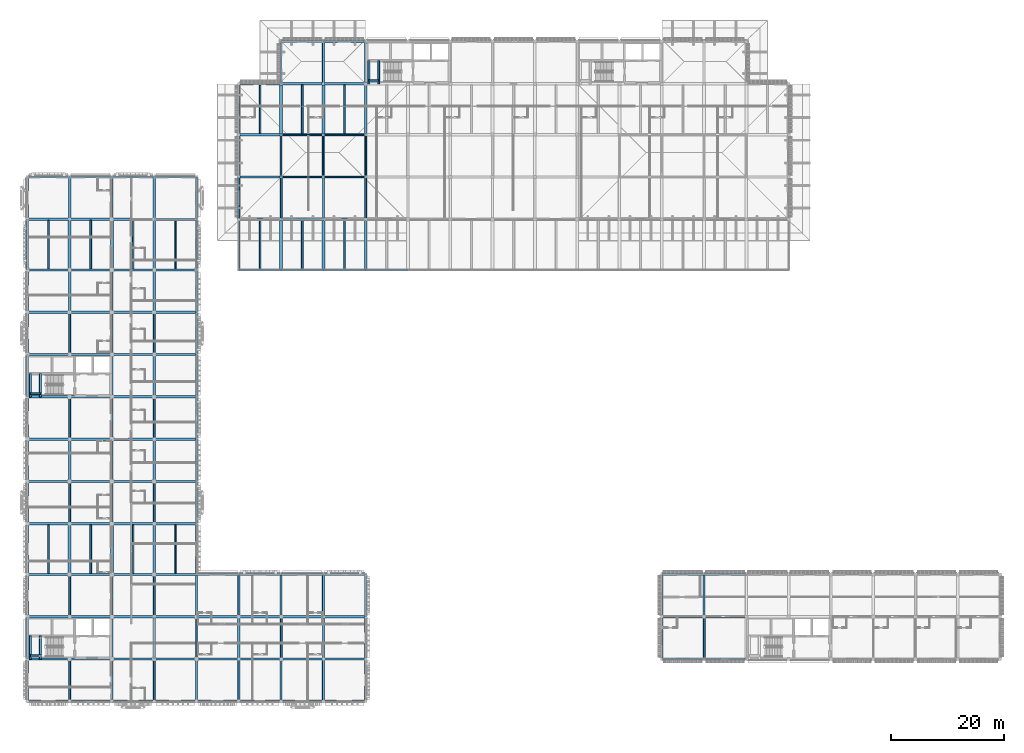
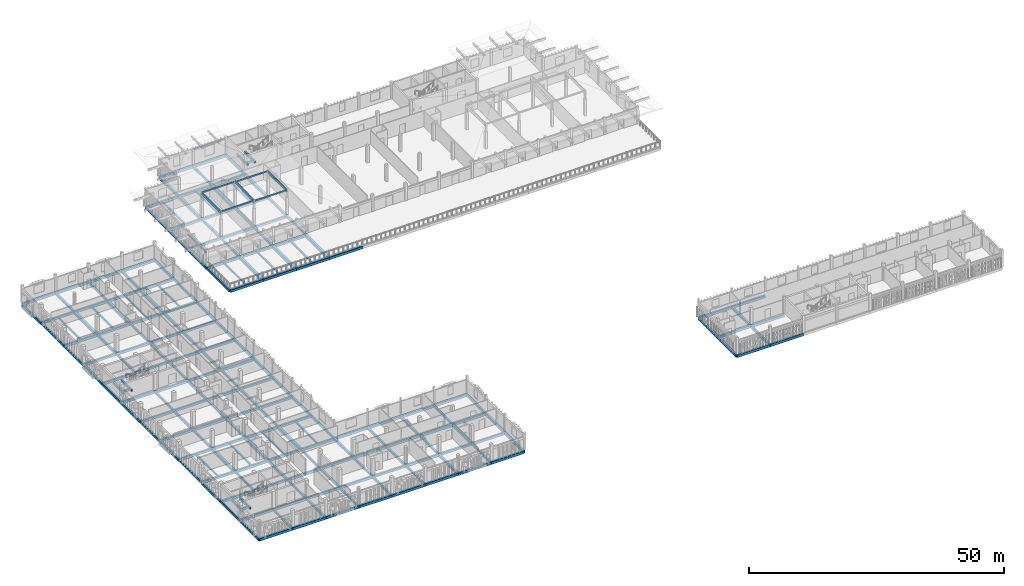
# One storey, part 12 of 48: 213 beams, 4 members.
"""IFC4 building model written with IfcOpenShell, lengths in metres."""

from ifc_helpers import new_model, si_unit, direction, frame, origin, origin_2d, place, context, subcontext, project, spatial, rectangle, hollow_rectangle, extrude, material, material_profile, profile_set, type_object, element, save


model = new_model("IFC4")

# Units and contexts
model_context = context("Model", 3, precision=1e-05, world=origin(), true_north=direction((0.0, 1.0)))
body_context = subcontext(model_context, "Body", "Model", "MODEL_VIEW")
ifc_project = project(units=[si_unit("LENGTHUNIT", "METRE"), si_unit("AREAUNIT", "SQUARE_METRE"), si_unit("VOLUMEUNIT", "CUBIC_METRE"), si_unit("PLANEANGLEUNIT", "RADIAN"), si_unit("MASSUNIT", "GRAM", prefix="KILO")], contexts=[model_context])

# Site, building, storey
site_placement = place(None, origin())
site = spatial("IfcSite", under=ifc_project, at=site_placement, CompositionType="ELEMENT")
building_placement = place(site_placement, origin())
building = spatial("IfcBuilding", under=site, at=building_placement, Name="Dalvernix Boulevard General Hospital", CompositionType="ELEMENT")
storey_placement = place(building_placement, frame((0.0, 0.0, 17.85009765625)))
storey = spatial("IfcBuildingStorey", under=building, at=storey_placement, Name="L04", CompositionType="ELEMENT", Elevation=17.85009765625)

# Beams
ifc_material_1 = material(Name="Concrete C35/45", Category="concrete")
ifc_material_profile_1 = material_profile(ifc_material_1, rectangle(XDim=0.5, YDim=0.699951171875, at=origin_2d()), Name="RCB 500x700")
ifc_profile_set_1 = profile_set([ifc_material_profile_1], Name="Concrete C35/45")
beam_type_1 = type_object("IfcBeamType", Name="BM-B-01-I", PredefinedType="BEAM", material=ifc_profile_set_1)
for number, where, z_axis, x_axis, name in (
    (1, (7.5, 22.5, -0.630126953125), (0.0, 1.0, 0.0), (-1.0, 0.0, 0.0), "L04 N-S girder 2:D-E"),
    (2, (7.5, 76.5, -0.630126953125), (0.0, 1.0, 0.0), (-1.0, 0.0, 0.0), "L04 N-S girder 2:L-M"),
    (3, (15.0, 22.5, -0.630126953125), (0.0, 1.0, 0.0), (-1.0, 0.0, 0.0), "L04 N-S girder 3:D-E"),
    (4, (15.0, 76.5, -0.630126953125), (0.0, 1.0, 0.0), (-1.0, 0.0, 0.0), "L04 N-S girder 3:L-M"),
    (5, (22.5, 22.5, -0.630126953125), (0.0, 1.0, 0.0), (-1.0, 0.0, 0.0), "L04 N-S girder 4:D-E"),
    (6, (22.5, 76.5, -0.630126953125), (0.0, 1.0, 0.0), (-1.0, 0.0, 0.0), "L04 N-S girder 4:L-M"),
    (7, (45.0, 76.5, -0.630126953125), (0.0, 1.0, 0.0), (-1.0, 0.0, 0.0), "L04 N-S girder 7:L-M"),
    (8, (45.0, 100.5, -0.630126953125), (0.0, 1.0, 0.0), (-1.0, 0.0, 0.0), "L04 N-S girder 7:P-Q"),
    (9, (52.5, 76.5, -0.630126953125), (0.0, 1.0, 0.0), (-1.0, 0.0, 0.0), "L04 N-S girder 8:L-M"),
    (10, (52.5, 100.5, -0.630126953125), (0.0, 1.0, 0.0), (-1.0, 0.0, 0.0), "L04 N-S girder 8:P-Q"),
    (11, (60.0, 76.5, -0.630126953125), (0.0, 1.0, 0.0), (-1.0, 0.0, 0.0), "L04 N-S girder 9:L-M"),
    (12, (60.0, 100.5, -0.630126953125), (0.0, 1.0, 0.0), (-1.0, 0.0, 0.0), "L04 N-S girder 9:P-Q"),
):
    element("IfcBeam", number, at=place(storey_placement, frame(where, z_axis=z_axis, x_axis=x_axis)), inside=storey, type_object=beam_type_1, Name=name, PredefinedType="BEAM", context=body_context, shape_type="SweptSolid", body=[
        extrude(rectangle(XDim=0.5, YDim=0.699951171875, at=origin_2d()), origin(), (0.0, 0.0, 1.0), 9.0),
    ])
ifc_material_profile_2 = material_profile(ifc_material_1, rectangle(XDim=0.39990234375, YDim=0.60009765625, at=origin_2d()), Name="RCB 400x600")
ifc_profile_set_2 = profile_set([ifc_material_profile_2], Name="Concrete C35/45")
beam_type_2 = type_object("IfcBeamType", Name="BM-B-05-I", PredefinedType="BEAM", material=ifc_profile_set_2)
for number, where, z_axis, x_axis, name in (
    (13, (7.5, 7.5, -0.580078125), (1.0, 0.0, 0.0), (0.0, 1.0, 0.0), "L04 E-W girder B:2-3"),
    (14, (22.5, 7.5, -0.580078125), (1.0, 0.0, 0.0), (0.0, 1.0, 0.0), "L04 E-W girder B:4-5"),
    (15, (37.5, 7.5, -0.580078125), (1.0, 0.0, 0.0), (0.0, 1.0, 0.0), "L04 E-W girder B:6-7"),
    (16, (52.5, 7.5, -0.580078125), (1.0, 0.0, 0.0), (0.0, 1.0, 0.0), "L04 E-W girder B:8-9"),
    (17, (0.0, 15.0, -0.580078125), (1.0, 0.0, 0.0), (0.0, 1.0, 0.0), "L04 E-W girder C:1-2"),
    (18, (15.0, 15.0, -0.580078125), (1.0, 0.0, 0.0), (0.0, 1.0, 0.0), "L04 E-W girder C:3-4"),
    (19, (30.0, 15.0, -0.580078125), (1.0, 0.0, 0.0), (0.0, 1.0, 0.0), "L04 E-W girder C:5-6"),
    (20, (45.0, 15.0, -0.580078125), (1.0, 0.0, 0.0), (0.0, 1.0, 0.0), "L04 E-W girder C:7-8"),
    (21, (120.0, 15.0, -0.580078125), (1.0, 0.0, 0.0), (0.0, 1.0, 0.0), "L04 E-W girder C:17-18"),
    (22, (7.5, 22.5, -0.580078125), (1.0, 0.0, 0.0), (0.0, 1.0, 0.0), "L04 E-W girder D:2-3"),
    (23, (22.5, 22.5, -0.580078125), (1.0, 0.0, 0.0), (0.0, 1.0, 0.0), "L04 E-W girder D:4-5"),
    (24, (0.0, 31.5, -0.580078125), (1.0, 0.0, 0.0), (0.0, 1.0, 0.0), "L04 E-W girder E:1-2"),
    (25, (15.0, 31.5, -0.580078125), (1.0, 0.0, 0.0), (0.0, 1.0, 0.0), "L04 E-W girder E:3-4"),
    (26, (7.5, 39.0, -0.580078125), (1.0, 0.0, 0.0), (0.0, 1.0, 0.0), "L04 E-W girder F:2-3"),
    (27, (22.5, 39.0, -0.580078125), (1.0, 0.0, 0.0), (0.0, 1.0, 0.0), "L04 E-W girder F:4-5"),
    (28, (0.0, 46.5, -0.580078125), (1.0, 0.0, 0.0), (0.0, 1.0, 0.0), "L04 E-W girder G:1-2"),
    (29, (15.0, 46.5, -0.580078125), (1.0, 0.0, 0.0), (0.0, 1.0, 0.0), "L04 E-W girder G:3-4"),
    (30, (7.5, 54.0, -0.580078125), (1.0, 0.0, 0.0), (0.0, 1.0, 0.0), "L04 E-W girder H:2-3"),
    (31, (22.5, 54.0, -0.580078125), (1.0, 0.0, 0.0), (0.0, 1.0, 0.0), "L04 E-W girder H:4-5"),
    (32, (0.0, 61.5, -0.580078125), (1.0, 0.0, 0.0), (0.0, 1.0, 0.0), "L04 E-W girder J:1-2"),
    (33, (15.0, 61.5, -0.580078125), (1.0, 0.0, 0.0), (0.0, 1.0, 0.0), "L04 E-W girder J:3-4"),
    (34, (7.5, 69.0, -0.580078125), (1.0, 0.0, 0.0), (0.0, 1.0, 0.0), "L04 E-W girder K:2-3"),
    (35, (22.5, 69.0, -0.580078125), (1.0, 0.0, 0.0), (0.0, 1.0, 0.0), "L04 E-W girder K:4-5"),
    (36, (0.0, 76.5, -0.580078125), (1.0, 0.0, 0.0), (0.0, 1.0, 0.0), "L04 E-W girder L:1-2"),
    (37, (15.0, 76.5, -0.580078125), (1.0, 0.0, 0.0), (0.0, 1.0, 0.0), "L04 E-W girder L:3-4"),
    (38, (7.5, 85.5, -0.580078125), (1.0, 0.0, 0.0), (0.0, 1.0, 0.0), "L04 E-W girder M:2-3"),
    (39, (22.5, 85.5, -0.580078125), (1.0, 0.0, 0.0), (0.0, 1.0, 0.0), "L04 E-W girder M:4-5"),
    (40, (37.5, 85.5, -0.580078125), (1.0, 0.0, 0.0), (0.0, 1.0, 0.0), "L04 E-W girder M:6-7"),
    (41, (52.5, 85.5, -0.580078125), (1.0, 0.0, 0.0), (0.0, 1.0, 0.0), "L04 E-W girder M:8-9"),
    (42, (45.0, 93.0, -0.580078125), (1.0, 0.0, 0.0), (0.0, 1.0, 0.0), "L04 E-W girder N:7-8"),
    (43, (37.5, 100.5, -0.580078125), (1.0, 0.0, 0.0), (0.0, 1.0, 0.0), "L04 E-W girder P:6-7"),
    (44, (52.5, 100.5, -0.580078125), (1.0, 0.0, 0.0), (0.0, 1.0, 0.0), "L04 E-W girder P:8-9"),
    (45, (45.0, 109.5, -0.580078125), (1.0, 0.0, 0.0), (0.0, 1.0, 0.0), "L04 E-W girder Q:7-8"),
):
    element("IfcBeam", number, at=place(storey_placement, frame(where, z_axis=z_axis, x_axis=x_axis)), inside=storey, type_object=beam_type_2, Name=name, PredefinedType="BEAM", context=body_context, shape_type="SweptSolid", body=[
        extrude(rectangle(XDim=0.39990234375, YDim=0.60009765625, at=origin_2d()), origin(), (0.0, 0.0, 1.0), 7.5),
    ])
ifc_material_profile_3 = material_profile(ifc_material_1, rectangle(XDim=0.39990234375, YDim=0.550048828125, at=origin_2d()), Name="RCB 400x550")
ifc_profile_set_3 = profile_set([ifc_material_profile_3], Name="Concrete C35/45")
beam_type_3 = type_object("IfcBeamType", Name="BM-B-06-I", PredefinedType="BEAM", material=ifc_profile_set_3)
for number, where, z_axis, x_axis, name in (
    (46, (0.0, 7.5, -0.55517578125), (1.0, 0.0, 0.0), (0.0, 1.0, 0.0), "L04 E-W girder B:1-2"),
    (47, (15.0, 7.5, -0.55517578125), (1.0, 0.0, 0.0), (0.0, 1.0, 0.0), "L04 E-W girder B:3-4"),
    (48, (30.0, 7.5, -0.55517578125), (1.0, 0.0, 0.0), (0.0, 1.0, 0.0), "L04 E-W girder B:5-6"),
    (49, (45.0, 7.5, -0.55517578125), (1.0, 0.0, 0.0), (0.0, 1.0, 0.0), "L04 E-W girder B:7-8"),
    (50, (7.5, 15.0, -0.55517578125), (1.0, 0.0, 0.0), (0.0, 1.0, 0.0), "L04 E-W girder C:2-3"),
    (51, (22.5, 15.0, -0.55517578125), (1.0, 0.0, 0.0), (0.0, 1.0, 0.0), "L04 E-W girder C:4-5"),
    (52, (37.5, 15.0, -0.55517578125), (1.0, 0.0, 0.0), (0.0, 1.0, 0.0), "L04 E-W girder C:6-7"),
    (53, (52.5, 15.0, -0.55517578125), (1.0, 0.0, 0.0), (0.0, 1.0, 0.0), "L04 E-W girder C:8-9"),
    (54, (112.5, 15.0, -0.55517578125), (1.0, 0.0, 0.0), (0.0, 1.0, 0.0), "L04 E-W girder C:16-17"),
    (55, (0.0, 22.5, -0.55517578125), (1.0, 0.0, 0.0), (0.0, 1.0, 0.0), "L04 E-W girder D:1-2"),
    (56, (15.0, 22.5, -0.55517578125), (1.0, 0.0, 0.0), (0.0, 1.0, 0.0), "L04 E-W girder D:3-4"),
    (57, (7.5, 31.5, -0.55517578125), (1.0, 0.0, 0.0), (0.0, 1.0, 0.0), "L04 E-W girder E:2-3"),
    (58, (22.5, 31.5, -0.55517578125), (1.0, 0.0, 0.0), (0.0, 1.0, 0.0), "L04 E-W girder E:4-5"),
    (59, (0.0, 39.0, -0.55517578125), (1.0, 0.0, 0.0), (0.0, 1.0, 0.0), "L04 E-W girder F:1-2"),
    (60, (15.0, 39.0, -0.55517578125), (1.0, 0.0, 0.0), (0.0, 1.0, 0.0), "L04 E-W girder F:3-4"),
    (61, (7.5, 46.5, -0.55517578125), (1.0, 0.0, 0.0), (0.0, 1.0, 0.0), "L04 E-W girder G:2-3"),
    (62, (22.5, 46.5, -0.55517578125), (1.0, 0.0, 0.0), (0.0, 1.0, 0.0), "L04 E-W girder G:4-5"),
    (63, (0.0, 54.0, -0.55517578125), (1.0, 0.0, 0.0), (0.0, 1.0, 0.0), "L04 E-W girder H:1-2"),
    (64, (15.0, 54.0, -0.55517578125), (1.0, 0.0, 0.0), (0.0, 1.0, 0.0), "L04 E-W girder H:3-4"),
    (65, (7.5, 61.5, -0.55517578125), (1.0, 0.0, 0.0), (0.0, 1.0, 0.0), "L04 E-W girder J:2-3"),
    (66, (22.5, 61.5, -0.55517578125), (1.0, 0.0, 0.0), (0.0, 1.0, 0.0), "L04 E-W girder J:4-5"),
    (67, (0.0, 69.0, -0.55517578125), (1.0, 0.0, 0.0), (0.0, 1.0, 0.0), "L04 E-W girder K:1-2"),
    (68, (15.0, 69.0, -0.55517578125), (1.0, 0.0, 0.0), (0.0, 1.0, 0.0), "L04 E-W girder K:3-4"),
    (69, (7.5, 76.5, -0.55517578125), (1.0, 0.0, 0.0), (0.0, 1.0, 0.0), "L04 E-W girder L:2-3"),
    (70, (22.5, 76.5, -0.55517578125), (1.0, 0.0, 0.0), (0.0, 1.0, 0.0), "L04 E-W girder L:4-5"),
    (71, (0.0, 85.5, -0.55517578125), (1.0, 0.0, 0.0), (0.0, 1.0, 0.0), "L04 E-W girder M:1-2"),
    (72, (15.0, 85.5, -0.55517578125), (1.0, 0.0, 0.0), (0.0, 1.0, 0.0), "L04 E-W girder M:3-4"),
    (73, (45.0, 85.5, -0.55517578125), (1.0, 0.0, 0.0), (0.0, 1.0, 0.0), "L04 E-W girder M:7-8"),
    (74, (37.5, 93.0, -0.55517578125), (1.0, 0.0, 0.0), (0.0, 1.0, 0.0), "L04 E-W girder N:6-7"),
    (75, (52.5, 93.0, -0.55517578125), (1.0, 0.0, 0.0), (0.0, 1.0, 0.0), "L04 E-W girder N:8-9"),
    (76, (45.0, 100.5, -0.55517578125), (1.0, 0.0, 0.0), (0.0, 1.0, 0.0), "L04 E-W girder P:7-8"),
    (77, (52.5, 109.5, -0.55517578125), (1.0, 0.0, 0.0), (0.0, 1.0, 0.0), "L04 E-W girder Q:8-9"),
    (78, (7.5, 39.0, -0.55517578125), (0.0, 1.0, 0.0), (-1.0, 0.0, 0.0), "L04 N-S girder 2:F-G"),
    (79, (7.5, 69.0, -0.55517578125), (0.0, 1.0, 0.0), (-1.0, 0.0, 0.0), "L04 N-S girder 2:K-L"),
    (80, (7.5, 85.5, -0.55517578125), (0.0, 1.0, 0.0), (-1.0, 0.0, 0.0), "L04 N-S girder 2:M-N"),
    (81, (15.0, 0.0, -0.55517578125), (0.0, 1.0, 0.0), (-1.0, 0.0, 0.0), "L04 N-S girder 3:A-B"),
    (82, (15.0, 15.0, -0.55517578125), (0.0, 1.0, 0.0), (-1.0, 0.0, 0.0), "L04 N-S girder 3:C-D"),
    (83, (15.0, 31.5, -0.55517578125), (0.0, 1.0, 0.0), (-1.0, 0.0, 0.0), "L04 N-S girder 3:E-F"),
    (84, (15.0, 46.5, -0.55517578125), (0.0, 1.0, 0.0), (-1.0, 0.0, 0.0), "L04 N-S girder 3:G-H"),
    (85, (15.0, 61.5, -0.55517578125), (0.0, 1.0, 0.0), (-1.0, 0.0, 0.0), "L04 N-S girder 3:J-K"),
    (86, (22.5, 7.5, -0.55517578125), (0.0, 1.0, 0.0), (-1.0, 0.0, 0.0), "L04 N-S girder 4:B-C"),
    (87, (22.5, 39.0, -0.55517578125), (0.0, 1.0, 0.0), (-1.0, 0.0, 0.0), "L04 N-S girder 4:F-G"),
    (88, (22.5, 54.0, -0.55517578125), (0.0, 1.0, 0.0), (-1.0, 0.0, 0.0), "L04 N-S girder 4:H-J"),
    (89, (22.5, 69.0, -0.55517578125), (0.0, 1.0, 0.0), (-1.0, 0.0, 0.0), "L04 N-S girder 4:K-L"),
    (90, (22.5, 85.5, -0.55517578125), (0.0, 1.0, 0.0), (-1.0, 0.0, 0.0), "L04 N-S girder 4:M-N"),
    (91, (30.0, 0.0, -0.55517578125), (0.0, 1.0, 0.0), (-1.0, 0.0, 0.0), "L04 N-S girder 5:A-B"),
    (92, (30.0, 15.0, -0.55517578125), (0.0, 1.0, 0.0), (-1.0, 0.0, 0.0), "L04 N-S girder 5:C-D"),
    (93, (37.5, 7.5, -0.55517578125), (0.0, 1.0, 0.0), (-1.0, 0.0, 0.0), "L04 N-S girder 6:B-C"),
    (94, (45.0, 0.0, -0.55517578125), (0.0, 1.0, 0.0), (-1.0, 0.0, 0.0), "L04 N-S girder 7:A-B"),
    (95, (45.0, 15.0, -0.55517578125), (0.0, 1.0, 0.0), (-1.0, 0.0, 0.0), "L04 N-S girder 7:C-D"),
    (96, (45.0, 93.0, -0.55517578125), (0.0, 1.0, 0.0), (-1.0, 0.0, 0.0), "L04 N-S girder 7:N-P"),
    (97, (52.5, 7.5, -0.55517578125), (0.0, 1.0, 0.0), (-1.0, 0.0, 0.0), "L04 N-S girder 8:B-C"),
    (98, (52.5, 85.5, -0.55517578125), (0.0, 1.0, 0.0), (-1.0, 0.0, 0.0), "L04 N-S girder 8:M-N"),
    (99, (60.0, 93.0, -0.55517578125), (0.0, 1.0, 0.0), (-1.0, 0.0, 0.0), "L04 N-S girder 9:N-P"),
    (100, (60.0, 109.5, -0.55517578125), (0.0, 1.0, 0.0), (-1.0, 0.0, 0.0), "L04 N-S girder 9:Q-R"),
    (101, (120.0, 15.0, -0.55517578125), (0.0, 1.0, 0.0), (-1.0, 0.0, 0.0), "L04 N-S girder 17:C-D"),
):
    element("IfcBeam", number, at=place(storey_placement, frame(where, z_axis=z_axis, x_axis=x_axis)), inside=storey, type_object=beam_type_3, Name=name, PredefinedType="BEAM", context=body_context, shape_type="SweptSolid", body=[
        extrude(rectangle(XDim=0.39990234375, YDim=0.550048828125, at=origin_2d()), origin(), (0.0, 0.0, 1.0), 7.5),
    ])
ifc_material_profile_4 = material_profile(ifc_material_1, rectangle(XDim=0.35009765625, YDim=0.5, at=origin_2d()), Name="RCB 350x500")
ifc_profile_set_4 = profile_set([ifc_material_profile_4], Name="Concrete C35/45")
beam_type_4 = type_object("IfcBeamType", Name="BM-B-08", PredefinedType="BEAM", material=ifc_profile_set_4)
for number, where, z_axis, x_axis, name in (
    (102, (0.550048828125, 7.5, 1.574951171875), (0.0, 1.0, 0.0), (-1.0, 0.0, 0.0), "L04 C1 stair half-landing beam 1"),
    (103, (2.300048828125, 7.5, 1.574951171875), (0.0, 1.0, 0.0), (-1.0, 0.0, 0.0), "L04 C1 stair half-landing beam 2"),
):
    element("IfcBeam", number, at=place(storey_placement, frame(where, z_axis=z_axis, x_axis=x_axis)), inside=storey, type_object=beam_type_4, Name=name, PredefinedType="BEAM", context=body_context, shape_type="SweptSolid", body=[
        extrude(rectangle(XDim=0.35009765625, YDim=0.5, at=origin_2d()), origin(), (0.0, 0.0, 1.0), 4.10009765625),
    ])
beam_1_placement = place(storey_placement, frame((0.550048828125, 8.050048828125, 1.574951171875), z_axis=(1.0, 0.0, 0.0), x_axis=(0.0, 1.0, 0.0)))
element("IfcBeam", 104, at=beam_1_placement, inside=storey, type_object=beam_type_4, Name="L04 C1 stair half-landing tie beam", PredefinedType="BEAM", context=body_context, shape_type="SweptSolid", body=[
    extrude(rectangle(XDim=0.35009765625, YDim=0.5, at=origin_2d()), origin(), (0.0, 0.0, 1.0), 1.75),
])
for number, where, z_axis, x_axis, name in (
    (105, (0.550048828125, 54.0, 1.574951171875), (0.0, 1.0, 0.0), (-1.0, 0.0, 0.0), "L04 C2 stair half-landing beam 1"),
    (106, (2.300048828125, 54.0, 1.574951171875), (0.0, 1.0, 0.0), (-1.0, 0.0, 0.0), "L04 C2 stair half-landing beam 2"),
):
    element("IfcBeam", number, at=place(storey_placement, frame(where, z_axis=z_axis, x_axis=x_axis)), inside=storey, type_object=beam_type_4, Name=name, PredefinedType="BEAM", context=body_context, shape_type="SweptSolid", body=[
        extrude(rectangle(XDim=0.35009765625, YDim=0.5, at=origin_2d()), origin(), (0.0, 0.0, 1.0), 4.10009765625),
    ])
beam_2_placement = place(storey_placement, frame((0.550048828125, 54.550048828125, 1.574951171875), z_axis=(1.0, 0.0, 0.0), x_axis=(0.0, 1.0, 0.0)))
element("IfcBeam", 107, at=beam_2_placement, inside=storey, type_object=beam_type_4, Name="L04 C2 stair half-landing tie beam", PredefinedType="BEAM", context=body_context, shape_type="SweptSolid", body=[
    extrude(rectangle(XDim=0.35009765625, YDim=0.5, at=origin_2d()), origin(), (0.0, 0.0, 1.0), 1.75),
])
for number, where, z_axis, x_axis, name in (
    (108, (60.550048828125, 109.5, 1.574951171875), (0.0, 1.0, 0.0), (-1.0, 0.0, 0.0), "L04 C3 stair half-landing beam 1"),
    (109, (62.300048828125, 109.5, 1.574951171875), (0.0, 1.0, 0.0), (-1.0, 0.0, 0.0), "L04 C3 stair half-landing beam 2"),
):
    element("IfcBeam", number, at=place(storey_placement, frame(where, z_axis=z_axis, x_axis=x_axis)), inside=storey, type_object=beam_type_4, Name=name, PredefinedType="BEAM", context=body_context, shape_type="SweptSolid", body=[
        extrude(rectangle(XDim=0.35009765625, YDim=0.5, at=origin_2d()), origin(), (0.0, 0.0, 1.0), 4.10009765625),
    ])
beam_3_placement = place(storey_placement, frame((60.550048828125, 110.050048828125, 1.574951171875), z_axis=(1.0, 0.0, 0.0), x_axis=(0.0, 1.0, 0.0)))
element("IfcBeam", 110, at=beam_3_placement, inside=storey, type_object=beam_type_4, Name="L04 C3 stair half-landing tie beam", PredefinedType="BEAM", context=body_context, shape_type="SweptSolid", body=[
    extrude(rectangle(XDim=0.35009765625, YDim=0.5, at=origin_2d()), origin(), (0.0, 0.0, 1.0), 1.75),
])
ifc_material_profile_5 = material_profile(ifc_material_1, rectangle(XDim=0.35009765625, YDim=0.5, at=origin_2d()), Name="RCB 350x500")
ifc_profile_set_5 = profile_set([ifc_material_profile_5], Name="Concrete C35/45")
beam_type_5 = type_object("IfcBeamType", Name="BM-B-08-I", PredefinedType="BEAM", material=ifc_profile_set_5)
for number, where, z_axis, x_axis, name in (
    (111, (7.5, 0.0, -0.530029296875), (0.0, 1.0, 0.0), (-1.0, 0.0, 0.0), "L04 N-S girder 2:A-B"),
    (112, (7.5, 15.0, -0.530029296875), (0.0, 1.0, 0.0), (-1.0, 0.0, 0.0), "L04 N-S girder 2:C-D"),
    (113, (7.5, 31.5, -0.530029296875), (0.0, 1.0, 0.0), (-1.0, 0.0, 0.0), "L04 N-S girder 2:E-F"),
    (114, (7.5, 46.5, -0.530029296875), (0.0, 1.0, 0.0), (-1.0, 0.0, 0.0), "L04 N-S girder 2:G-H"),
    (115, (7.5, 61.5, -0.530029296875), (0.0, 1.0, 0.0), (-1.0, 0.0, 0.0), "L04 N-S girder 2:J-K"),
    (116, (15.0, 7.5, -0.530029296875), (0.0, 1.0, 0.0), (-1.0, 0.0, 0.0), "L04 N-S girder 3:B-C"),
    (117, (15.0, 39.0, -0.530029296875), (0.0, 1.0, 0.0), (-1.0, 0.0, 0.0), "L04 N-S girder 3:F-G"),
    (118, (15.0, 54.0, -0.530029296875), (0.0, 1.0, 0.0), (-1.0, 0.0, 0.0), "L04 N-S girder 3:H-J"),
    (119, (15.0, 69.0, -0.530029296875), (0.0, 1.0, 0.0), (-1.0, 0.0, 0.0), "L04 N-S girder 3:K-L"),
    (120, (15.0, 85.5, -0.530029296875), (0.0, 1.0, 0.0), (-1.0, 0.0, 0.0), "L04 N-S girder 3:M-N"),
    (121, (22.5, 0.0, -0.530029296875), (0.0, 1.0, 0.0), (-1.0, 0.0, 0.0), "L04 N-S girder 4:A-B"),
    (122, (22.5, 15.0, -0.530029296875), (0.0, 1.0, 0.0), (-1.0, 0.0, 0.0), "L04 N-S girder 4:C-D"),
    (123, (22.5, 31.5, -0.530029296875), (0.0, 1.0, 0.0), (-1.0, 0.0, 0.0), "L04 N-S girder 4:E-F"),
    (124, (22.5, 46.5, -0.530029296875), (0.0, 1.0, 0.0), (-1.0, 0.0, 0.0), "L04 N-S girder 4:G-H"),
    (125, (22.5, 61.5, -0.530029296875), (0.0, 1.0, 0.0), (-1.0, 0.0, 0.0), "L04 N-S girder 4:J-K"),
    (126, (30.0, 7.5, -0.530029296875), (0.0, 1.0, 0.0), (-1.0, 0.0, 0.0), "L04 N-S girder 5:B-C"),
    (127, (37.5, 0.0, -0.530029296875), (0.0, 1.0, 0.0), (-1.0, 0.0, 0.0), "L04 N-S girder 6:A-B"),
    (128, (37.5, 15.0, -0.530029296875), (0.0, 1.0, 0.0), (-1.0, 0.0, 0.0), "L04 N-S girder 6:C-D"),
    (129, (45.0, 7.5, -0.530029296875), (0.0, 1.0, 0.0), (-1.0, 0.0, 0.0), "L04 N-S girder 7:B-C"),
    (130, (45.0, 85.5, -0.530029296875), (0.0, 1.0, 0.0), (-1.0, 0.0, 0.0), "L04 N-S girder 7:M-N"),
    (131, (52.5, 0.0, -0.530029296875), (0.0, 1.0, 0.0), (-1.0, 0.0, 0.0), "L04 N-S girder 8:A-B"),
    (132, (52.5, 15.0, -0.530029296875), (0.0, 1.0, 0.0), (-1.0, 0.0, 0.0), "L04 N-S girder 8:C-D"),
    (133, (52.5, 93.0, -0.530029296875), (0.0, 1.0, 0.0), (-1.0, 0.0, 0.0), "L04 N-S girder 8:N-P"),
    (134, (52.5, 109.5, -0.530029296875), (0.0, 1.0, 0.0), (-1.0, 0.0, 0.0), "L04 N-S girder 8:Q-R"),
    (135, (60.0, 85.5, -0.530029296875), (0.0, 1.0, 0.0), (-1.0, 0.0, 0.0), "L04 N-S girder 9:M-N"),
    (136, (120.0, 7.5, -0.530029296875), (0.0, 1.0, 0.0), (-1.0, 0.0, 0.0), "L04 N-S girder 17:B-C"),
):
    element("IfcBeam", number, at=place(storey_placement, frame(where, z_axis=z_axis, x_axis=x_axis)), inside=storey, type_object=beam_type_5, Name=name, PredefinedType="BEAM", context=body_context, shape_type="SweptSolid", body=[
        extrude(rectangle(XDim=0.35009765625, YDim=0.5, at=origin_2d()), origin(), (0.0, 0.0, 1.0), 7.5),
    ])
ifc_material_2 = material(Name="Glulam GL28h", Category="wood")
ifc_material_profile_6 = material_profile(ifc_material_2, rectangle(XDim=0.219970703125, YDim=0.60009765625, at=origin_2d()), Name="GL28h 220x600")
ifc_profile_set_6 = profile_set([ifc_material_profile_6], Name="Glulam GL28h")
beam_type_6 = type_object("IfcBeamType", Name="BM-GB-T2", PredefinedType="JOIST", material=ifc_profile_set_6)
beam_4_placement = place(storey_placement, frame((45.0, 93.0, 5.659912109375), z_axis=(0.0, 1.0, 0.0), x_axis=(-1.0, 0.0, 0.0)))
element("IfcBeam", 137, at=beam_4_placement, inside=storey, type_object=beam_type_6, Name="V3W pitched glulam rafter 7:N-P", PredefinedType="JOIST", context=body_context, shape_type="SweptSolid", body=[
    extrude(rectangle(XDim=0.219970703125, YDim=0.60009765625, at=origin_2d()), origin(), (0.0, 0.0, 1.0), 7.5),
])
beam_5_placement = place(storey_placement, frame((52.5, 93.0, 5.659912109375), z_axis=(0.0, 0.999351365394, 0.036011782601), x_axis=(-1.0, 0.0, 0.0)))
element("IfcBeam", 138, at=beam_5_placement, inside=storey, type_object=beam_type_6, Name="V3W pitched glulam rafter 8:N-P", PredefinedType="JOIST", context=body_context, shape_type="SweptSolid", body=[
    extrude(rectangle(XDim=0.219970703125, YDim=0.60009765625, at=origin_2d()), origin(), (0.0, 0.0, 1.0), 7.5048828125),
])
beam_6_placement = place(storey_placement, frame((60.0, 93.0, 5.561767578125), z_axis=(0.0, 1.0, 0.0), x_axis=(-1.0, 0.0, 0.0)))
element("IfcBeam", 139, at=beam_6_placement, inside=storey, type_object=beam_type_6, Name="V3W pitched glulam rafter 9:N-P", PredefinedType="JOIST", context=body_context, shape_type="SweptSolid", body=[
    extrude(rectangle(XDim=0.219970703125, YDim=0.60009765625, at=origin_2d()), origin(), (0.0, 0.0, 1.0), 7.5),
])
ifc_material_profile_7 = material_profile(ifc_material_1, rectangle(XDim=0.300048828125, YDim=0.39990234375, at=origin_2d()), Name="RCB 300x400")
ifc_profile_set_7 = profile_set([ifc_material_profile_7], Name="Concrete C35/45")
beam_type_7 = type_object("IfcBeamType", Name="BM-JB-01", PredefinedType="JOIST", material=ifc_profile_set_7)
for number, where, z_axis, x_axis, name in (
    (140, (3.75, 22.699951171875, -0.47998046875), (0.0, 1.0, 0.0), (-1.0, 0.0, 0.0), "L04 secondary floor beam 1-D"),
    (141, (3.75, 76.699951171875, -0.47998046875), (0.0, 1.0, 0.0), (-1.0, 0.0, 0.0), "L04 secondary floor beam 1-L"),
    (142, (11.25, 22.699951171875, -0.47998046875), (0.0, 1.0, 0.0), (-1.0, 0.0, 0.0), "L04 secondary floor beam 2-D"),
    (143, (11.25, 76.699951171875, -0.47998046875), (0.0, 1.0, 0.0), (-1.0, 0.0, 0.0), "L04 secondary floor beam 2-L"),
    (144, (18.75, 22.699951171875, -0.47998046875), (0.0, 1.0, 0.0), (-1.0, 0.0, 0.0), "L04 secondary floor beam 3-D"),
    (145, (18.75, 76.699951171875, -0.47998046875), (0.0, 1.0, 0.0), (-1.0, 0.0, 0.0), "L04 secondary floor beam 3-L"),
    (146, (26.25, 22.699951171875, -0.47998046875), (0.0, 1.0, 0.0), (-1.0, 0.0, 0.0), "L04 secondary floor beam 4-D"),
    (147, (26.25, 76.699951171875, -0.47998046875), (0.0, 1.0, 0.0), (-1.0, 0.0, 0.0), "L04 secondary floor beam 4-L"),
    (148, (41.25, 76.699951171875, -0.47998046875), (0.0, 1.0, 0.0), (-1.0, 0.0, 0.0), "L04 secondary floor beam 6-L"),
    (149, (41.25, 100.699951171875, -0.47998046875), (0.0, 1.0, 0.0), (-1.0, 0.0, 0.0), "L04 secondary floor beam 6-P"),
    (150, (48.75, 76.699951171875, -0.47998046875), (0.0, 1.0, 0.0), (-1.0, 0.0, 0.0), "L04 secondary floor beam 7-L"),
    (151, (48.75, 100.699951171875, -0.47998046875), (0.0, 1.0, 0.0), (-1.0, 0.0, 0.0), "L04 secondary floor beam 7-P"),
    (152, (56.25, 76.699951171875, -0.47998046875), (0.0, 1.0, 0.0), (-1.0, 0.0, 0.0), "L04 secondary floor beam 8-L"),
    (153, (56.25, 100.699951171875, -0.47998046875), (0.0, 1.0, 0.0), (-1.0, 0.0, 0.0), "L04 secondary floor beam 8-P"),
):
    element("IfcBeam", number, at=place(storey_placement, frame(where, z_axis=z_axis, x_axis=x_axis)), inside=storey, type_object=beam_type_7, Name=name, PredefinedType="JOIST", context=body_context, shape_type="SweptSolid", body=[
        extrude(rectangle(XDim=0.300048828125, YDim=0.39990234375, at=origin_2d()), origin(), (0.0, 0.0, 1.0), 8.60009765625),
    ])
ifc_material_3 = material(Name="Precast concrete C40/50", Category="concrete")
ifc_material_profile_8 = material_profile(ifc_material_3, rectangle(XDim=0.25, YDim=0.320068359375, at=origin_2d()), Name="RCL 250x320")
ifc_profile_set_8 = profile_set([ifc_material_profile_8], Name="Precast concrete C40/50")
beam_type_8 = type_object("IfcBeamType", Name="BM-LB-01", PredefinedType="LINTEL", material=ifc_profile_set_8)
beam_7_placement = place(storey_placement, frame((37.5, 85.735107421875, 3.010009765625), z_axis=(0.0, 1.0, 0.0), x_axis=(-1.0, 0.0, 0.0)))
element("IfcBeam", 154, at=beam_7_placement, inside=storey, type_object=beam_type_8, Name="L04 precast window lintel W 5-11", PredefinedType="LINTEL", context=body_context, shape_type="SweptSolid", body=[
    extrude(rectangle(XDim=0.25, YDim=0.320068359375, at=origin_2d()), origin(), (0.0, 0.0, 1.0), 7.02978515625),
])
beam_8_placement = place(storey_placement, frame((52.735107421875, 117.0, 3.4599609375), z_axis=(1.0, 0.0, 0.0), x_axis=(0.0, 1.0, 0.0)))
element("IfcBeam", 155, at=beam_8_placement, inside=storey, type_object=beam_type_8, Name="L04 precast window lintel N 7-15", PredefinedType="LINTEL", context=body_context, shape_type="SweptSolid", body=[
    extrude(rectangle(XDim=0.25, YDim=0.320068359375, at=origin_2d()), origin(), (0.0, 0.0, 1.0), 7.0048828125),
])
ifc_material_profile_9 = material_profile(ifc_material_1, rectangle(XDim=0.35009765625, YDim=0.550048828125, at=origin_2d()), Name="RCB 350x550")
ifc_profile_set_9 = profile_set([ifc_material_profile_9], Name="Concrete C35/45")
beam_type_9 = type_object("IfcBeamType", Name="BM-SB-01-E", PredefinedType="SPANDREL", material=ifc_profile_set_9)
for number, where, z_axis, x_axis, name in (
    (156, (0.0, 22.5, -0.55517578125), (0.0, 1.0, 0.0), (-1.0, 0.0, 0.0), "L04 N-S girder 1:D-E"),
    (157, (0.0, 76.5, -0.55517578125), (0.0, 1.0, 0.0), (-1.0, 0.0, 0.0), "L04 N-S girder 1:L-M"),
    (158, (30.0, 22.5, -0.55517578125), (0.0, 1.0, 0.0), (-1.0, 0.0, 0.0), "L04 N-S girder 5:D-E"),
    (159, (30.0, 76.5, -0.55517578125), (0.0, 1.0, 0.0), (-1.0, 0.0, 0.0), "L04 N-S girder 5:L-M"),
    (160, (37.5, 76.5, -0.55517578125), (0.0, 1.0, 0.0), (-1.0, 0.0, 0.0), "L04 N-S girder 6:L-M"),
    (161, (37.5, 100.5, -0.55517578125), (0.0, 1.0, 0.0), (-1.0, 0.0, 0.0), "L04 N-S girder 6:P-Q"),
):
    element("IfcBeam", number, at=place(storey_placement, frame(where, z_axis=z_axis, x_axis=x_axis)), inside=storey, type_object=beam_type_9, Name=name, PredefinedType="SPANDREL", context=body_context, shape_type="SweptSolid", body=[
        extrude(rectangle(XDim=0.35009765625, YDim=0.550048828125, at=origin_2d()), origin(), (0.0, 0.0, 1.0), 9.0),
    ])
ifc_material_profile_10 = material_profile(ifc_material_1, rectangle(XDim=0.39990234375, YDim=0.60009765625, at=origin_2d()), Name="RCB 400x600")
ifc_profile_set_10 = profile_set([ifc_material_profile_10], Name="Concrete C35/45")
beam_type_10 = type_object("IfcBeamType", Name="BM-SB-02-E", PredefinedType="SPANDREL", material=ifc_profile_set_10)
for number, where, z_axis, x_axis, name in (
    (162, (0.0, 0.0, -0.580078125), (1.0, 0.0, 0.0), (0.0, 1.0, 0.0), "L04 E-W girder A:1-2"),
    (163, (7.5, 0.0, -0.580078125), (1.0, 0.0, 0.0), (0.0, 1.0, 0.0), "L04 E-W girder A:2-3"),
    (164, (15.0, 0.0, -0.580078125), (1.0, 0.0, 0.0), (0.0, 1.0, 0.0), "L04 E-W girder A:3-4"),
    (165, (22.5, 0.0, -0.580078125), (1.0, 0.0, 0.0), (0.0, 1.0, 0.0), "L04 E-W girder A:4-5"),
    (166, (30.0, 0.0, -0.580078125), (1.0, 0.0, 0.0), (0.0, 1.0, 0.0), "L04 E-W girder A:5-6"),
    (167, (37.5, 0.0, -0.580078125), (1.0, 0.0, 0.0), (0.0, 1.0, 0.0), "L04 E-W girder A:6-7"),
    (168, (45.0, 0.0, -0.580078125), (1.0, 0.0, 0.0), (0.0, 1.0, 0.0), "L04 E-W girder A:7-8"),
    (169, (52.5, 0.0, -0.580078125), (1.0, 0.0, 0.0), (0.0, 1.0, 0.0), "L04 E-W girder A:8-9"),
    (170, (112.5, 7.5, -0.580078125), (1.0, 0.0, 0.0), (0.0, 1.0, 0.0), "L04 E-W girder B:16-17"),
    (171, (120.0, 7.5, -0.580078125), (1.0, 0.0, 0.0), (0.0, 1.0, 0.0), "L04 E-W girder B:17-18"),
    (172, (30.0, 22.5, -0.580078125), (1.0, 0.0, 0.0), (0.0, 1.0, 0.0), "L04 E-W girder D:5-6"),
    (173, (37.5, 22.5, -0.580078125), (1.0, 0.0, 0.0), (0.0, 1.0, 0.0), "L04 E-W girder D:6-7"),
    (174, (45.0, 22.5, -0.580078125), (1.0, 0.0, 0.0), (0.0, 1.0, 0.0), "L04 E-W girder D:7-8"),
    (175, (52.5, 22.5, -0.580078125), (1.0, 0.0, 0.0), (0.0, 1.0, 0.0), "L04 E-W girder D:8-9"),
    (176, (112.5, 22.5, -0.580078125), (1.0, 0.0, 0.0), (0.0, 1.0, 0.0), "L04 E-W girder D:16-17"),
    (177, (120.0, 22.5, -0.580078125), (1.0, 0.0, 0.0), (0.0, 1.0, 0.0), "L04 E-W girder D:17-18"),
    (178, (37.5, 76.5, -0.580078125), (1.0, 0.0, 0.0), (0.0, 1.0, 0.0), "L04 E-W girder L:6-7"),
    (179, (45.0, 76.5, -0.580078125), (1.0, 0.0, 0.0), (0.0, 1.0, 0.0), "L04 E-W girder L:7-8"),
    (180, (52.5, 76.5, -0.580078125), (1.0, 0.0, 0.0), (0.0, 1.0, 0.0), "L04 E-W girder L:8-9"),
    (181, (60.0, 76.5, -0.580078125), (1.0, 0.0, 0.0), (0.0, 1.0, 0.0), "L04 E-W girder L:9-10"),
    (182, (0.0, 93.0, -0.580078125), (1.0, 0.0, 0.0), (0.0, 1.0, 0.0), "L04 E-W girder N:1-2"),
    (183, (7.5, 93.0, -0.580078125), (1.0, 0.0, 0.0), (0.0, 1.0, 0.0), "L04 E-W girder N:2-3"),
    (184, (15.0, 93.0, -0.580078125), (1.0, 0.0, 0.0), (0.0, 1.0, 0.0), "L04 E-W girder N:3-4"),
    (185, (22.5, 93.0, -0.580078125), (1.0, 0.0, 0.0), (0.0, 1.0, 0.0), "L04 E-W girder N:4-5"),
    (186, (37.5, 109.5, -0.580078125), (1.0, 0.0, 0.0), (0.0, 1.0, 0.0), "L04 E-W girder Q:6-7"),
    (187, (45.0, 117.0, -0.580078125), (1.0, 0.0, 0.0), (0.0, 1.0, 0.0), "L04 E-W girder R:7-8"),
    (188, (52.5, 117.0, -0.580078125), (1.0, 0.0, 0.0), (0.0, 1.0, 0.0), "L04 E-W girder R:8-9"),
    (189, (0.0, 0.0, -0.580078125), (0.0, 1.0, 0.0), (-1.0, 0.0, 0.0), "L04 N-S girder 1:A-B"),
    (190, (0.0, 7.5, -0.580078125), (0.0, 1.0, 0.0), (-1.0, 0.0, 0.0), "L04 N-S girder 1:B-C"),
    (191, (0.0, 15.0, -0.580078125), (0.0, 1.0, 0.0), (-1.0, 0.0, 0.0), "L04 N-S girder 1:C-D"),
    (192, (0.0, 31.5, -0.580078125), (0.0, 1.0, 0.0), (-1.0, 0.0, 0.0), "L04 N-S girder 1:E-F"),
    (193, (0.0, 39.0, -0.580078125), (0.0, 1.0, 0.0), (-1.0, 0.0, 0.0), "L04 N-S girder 1:F-G"),
    (194, (0.0, 46.5, -0.580078125), (0.0, 1.0, 0.0), (-1.0, 0.0, 0.0), "L04 N-S girder 1:G-H"),
    (195, (0.0, 54.0, -0.580078125), (0.0, 1.0, 0.0), (-1.0, 0.0, 0.0), "L04 N-S girder 1:H-J"),
    (196, (0.0, 61.5, -0.580078125), (0.0, 1.0, 0.0), (-1.0, 0.0, 0.0), "L04 N-S girder 1:J-K"),
    (197, (0.0, 69.0, -0.580078125), (0.0, 1.0, 0.0), (-1.0, 0.0, 0.0), "L04 N-S girder 1:K-L"),
    (198, (0.0, 85.5, -0.580078125), (0.0, 1.0, 0.0), (-1.0, 0.0, 0.0), "L04 N-S girder 1:M-N"),
    (199, (30.0, 31.5, -0.580078125), (0.0, 1.0, 0.0), (-1.0, 0.0, 0.0), "L04 N-S girder 5:E-F"),
    (200, (30.0, 39.0, -0.580078125), (0.0, 1.0, 0.0), (-1.0, 0.0, 0.0), "L04 N-S girder 5:F-G"),
    (201, (30.0, 46.5, -0.580078125), (0.0, 1.0, 0.0), (-1.0, 0.0, 0.0), "L04 N-S girder 5:G-H"),
    (202, (30.0, 54.0, -0.580078125), (0.0, 1.0, 0.0), (-1.0, 0.0, 0.0), "L04 N-S girder 5:H-J"),
    (203, (30.0, 61.5, -0.580078125), (0.0, 1.0, 0.0), (-1.0, 0.0, 0.0), "L04 N-S girder 5:J-K"),
    (204, (30.0, 69.0, -0.580078125), (0.0, 1.0, 0.0), (-1.0, 0.0, 0.0), "L04 N-S girder 5:K-L"),
    (205, (30.0, 85.5, -0.580078125), (0.0, 1.0, 0.0), (-1.0, 0.0, 0.0), "L04 N-S girder 5:M-N"),
    (206, (37.5, 85.5, -0.580078125), (0.0, 1.0, 0.0), (-1.0, 0.0, 0.0), "L04 N-S girder 6:M-N"),
    (207, (37.5, 93.0, -0.580078125), (0.0, 1.0, 0.0), (-1.0, 0.0, 0.0), "L04 N-S girder 6:N-P"),
    (208, (45.0, 109.5, -0.580078125), (0.0, 1.0, 0.0), (-1.0, 0.0, 0.0), "L04 N-S girder 7:Q-R"),
    (209, (60.0, 0.0, -0.580078125), (0.0, 1.0, 0.0), (-1.0, 0.0, 0.0), "L04 N-S girder 9:A-B"),
    (210, (60.0, 7.5, -0.580078125), (0.0, 1.0, 0.0), (-1.0, 0.0, 0.0), "L04 N-S girder 9:B-C"),
    (211, (60.0, 15.0, -0.580078125), (0.0, 1.0, 0.0), (-1.0, 0.0, 0.0), "L04 N-S girder 9:C-D"),
    (212, (112.5, 7.5, -0.580078125), (0.0, 1.0, 0.0), (-1.0, 0.0, 0.0), "L04 N-S girder 16:B-C"),
    (213, (112.5, 15.0, -0.580078125), (0.0, 1.0, 0.0), (-1.0, 0.0, 0.0), "L04 N-S girder 16:C-D"),
):
    element("IfcBeam", number, at=place(storey_placement, frame(where, z_axis=z_axis, x_axis=x_axis)), inside=storey, type_object=beam_type_10, Name=name, PredefinedType="SPANDREL", context=body_context, shape_type="SweptSolid", body=[
        extrude(rectangle(XDim=0.39990234375, YDim=0.60009765625, at=origin_2d()), origin(), (0.0, 0.0, 1.0), 7.5),
    ])

# Members
ifc_material_4 = material(Name="Steel S355", Category="steel")
ifc_material_profile_11 = material_profile(ifc_material_4, hollow_rectangle(XDim=0.199951171875, YDim=0.300048828125, WallThickness=0.012451171875, at=origin_2d()), Name="RHS 300x200x12.5")
ifc_profile_set_11 = profile_set([ifc_material_profile_11], Name="Steel S355")
member_type = type_object("IfcMemberType", Name="MEM-PR-05", PredefinedType="PURLIN", material=ifc_profile_set_11)
for number, where, z_axis, x_axis, name in (
    (214, (45.0, 93.0, 5.820068359375), (1.0, 0.0, 0.0), (0.0, 1.0, 0.0), "V3W attic purlin 7-8:N"),
    (215, (45.0, 100.5, 5.820068359375), (1.0, 0.0, 0.0), (0.0, 1.0, 0.0), "V3W attic purlin 7-8:P"),
    (216, (52.5, 93.0, 5.7216796875), (1.0, 0.0, 0.0), (0.0, 1.0, 0.0), "V3W attic purlin 8-9:N"),
    (217, (52.5, 100.5, 5.7216796875), (1.0, 0.0, 0.0), (0.0, 1.0, 0.0), "V3W attic purlin 8-9:P"),
):
    element("IfcMember", number, at=place(storey_placement, frame(where, z_axis=z_axis, x_axis=x_axis)), inside=storey, type_object=member_type, Name=name, PredefinedType="PURLIN", context=body_context, shape_type="SweptSolid", body=[
        extrude(hollow_rectangle(XDim=0.199951171875, YDim=0.300048828125, WallThickness=0.012451171875, at=origin_2d()), origin(), (0.0, 0.0, 1.0), 7.5),
    ])

save(model, "model.ifc")
